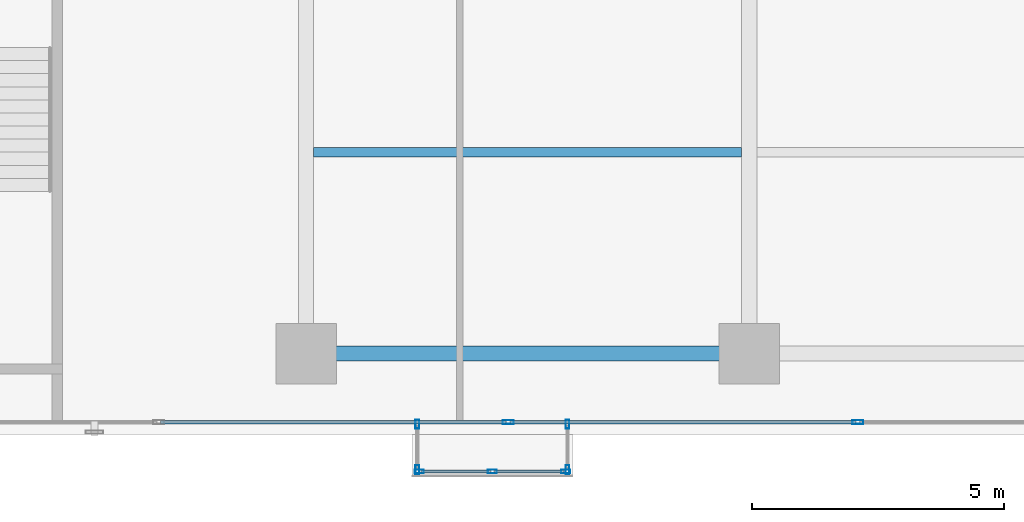
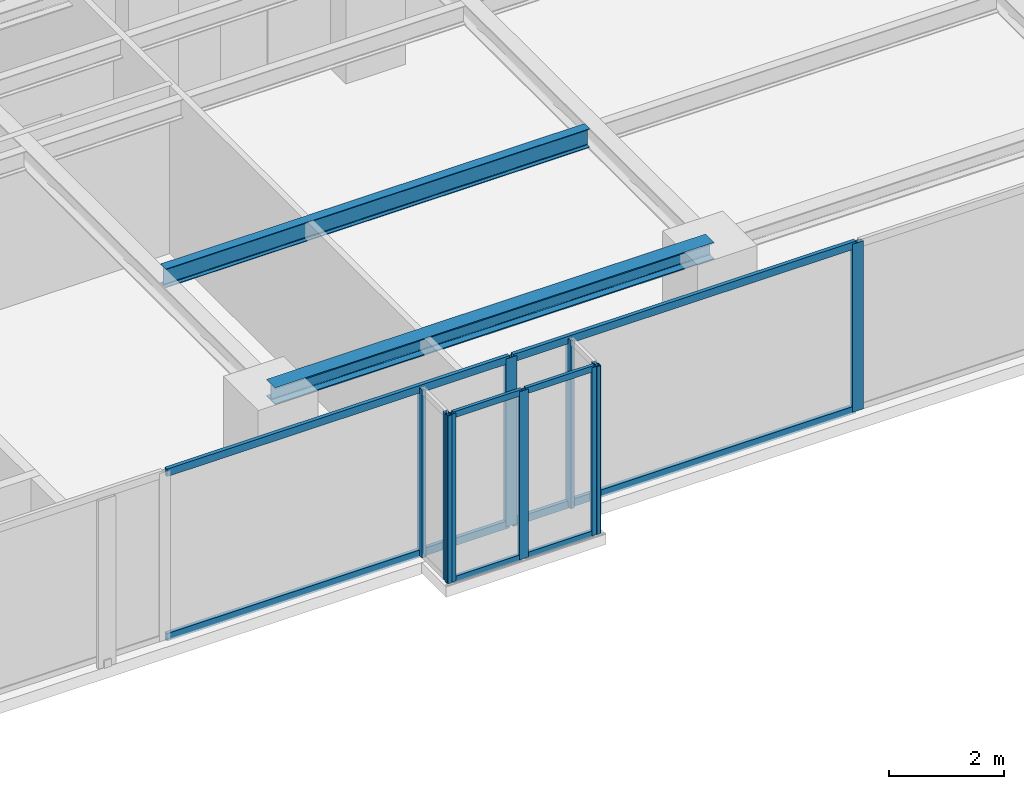
# One storey, part 10 of 26: 17 members, 2 beams, 4 elements without a shape of their own.
"""IFC4 building model written with IfcOpenShell, lengths in metres."""

from ifc_helpers import new_model, si_unit, direction, frame, origin, origin_with_axes, origin_2d, place, context, subcontext, project, spatial, hollow_rectangle, i_section, extrude, source, transform, mapped, material, layer, layer_set, material_profile, profile_set, type_object, element, aggregate, save


model = new_model("IFC4")

# Units and contexts
model_context = context("Model", 3, precision=1e-05, world=origin(), true_north=direction((0.0, 1.0)))
body_context = subcontext(model_context, "Body", "Model", "MODEL_VIEW")
ifc_project = project(units=[si_unit("LENGTHUNIT", "METRE"), si_unit("AREAUNIT", "SQUARE_METRE"), si_unit("VOLUMEUNIT", "CUBIC_METRE"), si_unit("PLANEANGLEUNIT", "RADIAN"), si_unit("MASSUNIT", "GRAM", prefix="KILO")], contexts=[model_context])

# Site, building, storey
site_placement = place(None, origin())
site = spatial("IfcSite", under=ifc_project, at=site_placement, CompositionType="ELEMENT")
building_placement = place(site_placement, origin())
building = spatial("IfcBuilding", under=site, at=building_placement, Name="Kolvaren Waterfront Exchange", CompositionType="ELEMENT")
storey_placement = place(building_placement, frame((0.0, 0.0, 150.0)))
storey = spatial("IfcBuildingStorey", under=building, at=storey_placement, Name="L38", CompositionType="ELEMENT", Elevation=150.0)

# Beams
ifc_material_1 = material(Name="Steel S355", Category="steel")
ifc_material_profile_1 = material_profile(ifc_material_1, i_section(OverallWidth=0.300048828125, OverallDepth=0.360107421875, WebThickness=0.012451171875, FlangeThickness=0.0224609375, FilletRadius=0.027099609375, at=origin_2d()), Name="HEB360")
ifc_profile_set_1 = profile_set([ifc_material_profile_1], Name="Steel S355")
beam_type_1 = type_object("IfcBeamType", Name="STR-BM-HEB360", PredefinedType="SPANDREL", material=ifc_profile_set_1)
beam_1_placement = place(storey_placement, frame((36.800048828125, 5.199951171875, 3.3798828125), z_axis=(1.0, 0.0, 0.0), x_axis=(0.0, 1.0, 0.0)))
element("IfcBeam", 1, at=beam_1_placement, inside=storey, type_object=beam_type_1, Name="L38 east-arm spandrel S3", PredefinedType="SPANDREL", context=body_context, shape_type="SweptSolid", body=[
    extrude(i_section(OverallWidth=0.300048828125, OverallDepth=0.360107421875, WebThickness=0.012451171875, FlangeThickness=0.0224609375, FilletRadius=0.027099609375, at=origin_2d()), origin(), (0.0, 0.0, 1.0), 8.800048828125),
])
ifc_material_profile_2 = material_profile(ifc_material_1, i_section(OverallWidth=0.179931640625, OverallDepth=0.39990234375, WebThickness=0.008544921875, FlangeThickness=0.013427734375, FilletRadius=0.02099609375, at=origin_2d()), Name="IPE400")
ifc_profile_set_2 = profile_set([ifc_material_profile_2], Name="Steel S355")
beam_type_2 = type_object("IfcBeamType", Name="STR-BM-IPE400", PredefinedType="JOIST", material=ifc_profile_set_2)
beam_2_placement = place(storey_placement, frame((36.951904296875, 9.199951171875, 3.360107421875), z_axis=(1.0, 0.0, 0.0), x_axis=(0.0, 1.0, 0.0)))
element("IfcBeam", 2, at=beam_2_placement, inside=storey, type_object=beam_type_2, Name="L38 east-arm composite joist 3B", PredefinedType="JOIST", context=body_context, shape_type="SweptSolid", body=[
    extrude(i_section(OverallWidth=0.179931640625, OverallDepth=0.39990234375, WebThickness=0.008544921875, FlangeThickness=0.013427734375, FilletRadius=0.02099609375, at=origin_2d()), origin(), (0.0, 0.0, 1.0), 8.49609375),
])

# Curtain wall, members
ifc_material_2 = material(Name="Anodised bronze aluminium 6063-T6", Category="aluminium")
ifc_layer_1 = layer(ifc_material_2, 0.219970703125, Name="Anodised bronze aluminium 6063-T6")
ifc_layer_set_1 = layer_set([ifc_layer_1], Name="Anodised bronze aluminium 6063-T6")
curtain_wall_type_1 = type_object("IfcCurtainWallType", Name="ARC-CW-SYS3", PredefinedType="USERDEFINED", material=ifc_layer_set_1)
curtain_wall_1_placement = place(storey_placement, origin())
curtain_wall_1 = element("IfcCurtainWall", 3, at=curtain_wall_1_placement, inside=storey, type_object=curtain_wall_type_1, Name="L38 stick curtain wall CW3 (CW-L38-BOX)", ObjectType="STICK CURTAIN WALL", PredefinedType="USERDEFINED")
ifc_material_profile_3 = material_profile(ifc_material_2, hollow_rectangle(XDim=0.06494140625, YDim=0.1298828125, WallThickness=0.00390625, at=origin_2d()), Name="ALU-TRN-130x65x4")
ifc_profile_set_3 = profile_set([ifc_material_profile_3], Name="Anodised bronze aluminium 6063-T6")
member_type_1 = type_object("IfcMemberType", Name="ARC-CWT-130", PredefinedType="USERDEFINED", material=ifc_profile_set_3)
shared_shape_1 = source(origin_with_axes(), body_context, "Body", "SweptSolid", [
    extrude(hollow_rectangle(XDim=0.06494140625, YDim=0.1298828125, WallThickness=0.00390625, at=origin_2d()), origin(), (0.0, 0.0, 1.0), 1.37744140625),
])
member_1_placement = place(storey_placement, frame((39.0849609375, 2.860107421875, 0.032470703125), z_axis=(1.0, 0.0, 0.0), x_axis=(0.0, 1.0, 0.0)))
member_1 = element("IfcMember", 4, at=member_1_placement, type_object=member_type_1, Name="CW3 transom 1.1", ObjectType="TRANSOM", PredefinedType="USERDEFINED", context=body_context, shape_type="MappedRepresentation", body=[
    mapped(shared_shape_1, transform((0.0, 0.0, 0.0), x_axis=(1.0, 0.0, 0.0), y_axis=(0.0, 1.0, 0.0), z_axis=(0.0, 0.0, 1.0), scale=1.0)),
])
member_2_placement = place(storey_placement, frame((39.0849609375, 2.860107421875, 3.527587890625), z_axis=(1.0, 0.0, 0.0), x_axis=(0.0, 1.0, 0.0)))
member_2 = element("IfcMember", 5, at=member_2_placement, type_object=member_type_1, Name="CW3 transom 1.2", ObjectType="TRANSOM", PredefinedType="USERDEFINED", context=body_context, shape_type="MappedRepresentation", body=[
    mapped(shared_shape_1, transform((0.0, 0.0, 0.0), x_axis=(1.0, 0.0, 0.0), y_axis=(0.0, 1.0, 0.0), z_axis=(0.0, 0.0, 1.0), scale=1.0)),
])
member_3_placement = place(storey_placement, frame((40.53759765625, 2.860107421875, 0.032470703125), z_axis=(1.0, 0.0, 0.0), x_axis=(0.0, 1.0, 0.0)))
member_3 = element("IfcMember", 6, at=member_3_placement, type_object=member_type_1, Name="CW3 transom 2.1", ObjectType="TRANSOM", PredefinedType="USERDEFINED", context=body_context, shape_type="MappedRepresentation", body=[
    mapped(shared_shape_1, transform((0.0, 0.0, 0.0), x_axis=(1.0, 0.0, 0.0), y_axis=(0.0, 1.0, 0.0), z_axis=(0.0, 0.0, 1.0), scale=1.0)),
])
member_4_placement = place(storey_placement, frame((40.53759765625, 2.860107421875, 3.527587890625), z_axis=(1.0, 0.0, 0.0), x_axis=(0.0, 1.0, 0.0)))
member_4 = element("IfcMember", 7, at=member_4_placement, type_object=member_type_1, Name="CW3 transom 2.2", ObjectType="TRANSOM", PredefinedType="USERDEFINED", context=body_context, shape_type="MappedRepresentation", body=[
    mapped(shared_shape_1, transform((0.0, 0.0, 0.0), x_axis=(1.0, 0.0, 0.0), y_axis=(0.0, 1.0, 0.0), z_axis=(0.0, 0.0, 1.0), scale=1.0)),
])

curtain_wall_2_placement = place(storey_placement, origin())
curtain_wall_2 = element("IfcCurtainWall", 8, at=curtain_wall_2_placement, inside=storey, type_object=curtain_wall_type_1, Name="L38 stick curtain wall CW3 (CW-L38-BOX-W)", ObjectType="STICK CURTAIN WALL", PredefinedType="USERDEFINED")
ifc_material_profile_4 = material_profile(ifc_material_2, hollow_rectangle(XDim=0.074951171875, YDim=0.179931640625, WallThickness=0.00439453125, at=origin_2d()), Name="ALU-MUL-180x75x4.5")
ifc_profile_set_4 = profile_set([ifc_material_profile_4], Name="Anodised bronze aluminium 6063-T6")
member_type_2 = type_object("IfcMemberType", Name="ARC-CWM-180", PredefinedType="MULLION", material=ifc_profile_set_4)
shared_shape_2 = source(origin_with_axes(), body_context, "Body", "SweptSolid", [
    extrude(hollow_rectangle(XDim=0.074951171875, YDim=0.179931640625, WallThickness=0.00439453125, at=origin_2d()), origin(), (0.0, 0.0, 1.0), 3.56005859375),
])
member_5_placement = place(storey_placement, frame((39.010009765625, 3.802490234375, 0.0), z_axis=(0.0, 0.0, 1.0), x_axis=(1.0, 0.0, 0.0)))
member_5 = element("IfcMember", 9, at=member_5_placement, type_object=member_type_2, Name="CW3 mullion 1", PredefinedType="MULLION", context=body_context, shape_type="MappedRepresentation", body=[
    mapped(shared_shape_2, transform((0.0, 0.0, 0.0), x_axis=(1.0, 0.0, 0.0), y_axis=(0.0, 1.0, 0.0), z_axis=(0.0, 0.0, 1.0), scale=1.0)),
])
member_6_placement = place(storey_placement, frame((39.010009765625, 2.8974609375, 0.0), z_axis=(0.0, 0.0, 1.0), x_axis=(1.0, 0.0, 0.0)))
member_6 = element("IfcMember", 10, at=member_6_placement, type_object=member_type_2, Name="CW3 mullion 2", PredefinedType="MULLION", context=body_context, shape_type="MappedRepresentation", body=[
    mapped(shared_shape_2, transform((0.0, 0.0, 0.0), x_axis=(1.0, 0.0, 0.0), y_axis=(0.0, 1.0, 0.0), z_axis=(0.0, 0.0, 1.0), scale=1.0)),
])
aggregate(curtain_wall_2, [member_5, member_6])

# Member
member_7_placement = place(storey_placement, frame((39.047607421875, 2.860107421875, 0.0), z_axis=(0.0, 0.0, 1.0), x_axis=(0.0, 1.0, 0.0)))
member_7 = element("IfcMember", 11, at=member_7_placement, type_object=member_type_2, Name="CW3 mullion 1", PredefinedType="MULLION", context=body_context, shape_type="MappedRepresentation", body=[
    mapped(shared_shape_2, transform((0.0, 0.0, 0.0), x_axis=(1.0, 0.0, 0.0), y_axis=(0.0, 1.0, 0.0), z_axis=(0.0, 0.0, 1.0), scale=1.0)),
])

member_8_placement = place(storey_placement, frame((40.5, 2.860107421875, 0.0), z_axis=(0.0, 0.0, 1.0), x_axis=(0.0, 1.0, 0.0)))
member_8 = element("IfcMember", 12, at=member_8_placement, type_object=member_type_2, Name="CW3 mullion 2", PredefinedType="MULLION", context=body_context, shape_type="MappedRepresentation", body=[
    mapped(shared_shape_2, transform((0.0, 0.0, 0.0), x_axis=(1.0, 0.0, 0.0), y_axis=(0.0, 1.0, 0.0), z_axis=(0.0, 0.0, 1.0), scale=1.0)),
])

member_9_placement = place(storey_placement, frame((41.952392578125, 2.860107421875, 0.0), z_axis=(0.0, 0.0, 1.0), x_axis=(0.0, 1.0, 0.0)))
member_9 = element("IfcMember", 13, at=member_9_placement, type_object=member_type_2, Name="CW3 mullion 3", PredefinedType="MULLION", context=body_context, shape_type="MappedRepresentation", body=[
    mapped(shared_shape_2, transform((0.0, 0.0, 0.0), x_axis=(1.0, 0.0, 0.0), y_axis=(0.0, 1.0, 0.0), z_axis=(0.0, 0.0, 1.0), scale=1.0)),
])

aggregate(curtain_wall_1, [member_7, member_8, member_9, member_1, member_2, member_3, member_4])

# Curtain wall, members
curtain_wall_3_placement = place(storey_placement, origin())
curtain_wall_3 = element("IfcCurtainWall", 14, at=curtain_wall_3_placement, inside=storey, type_object=curtain_wall_type_1, Name="L38 stick curtain wall CW3 (CW-L38-BOX-E)", ObjectType="STICK CURTAIN WALL", PredefinedType="USERDEFINED")
member_10_placement = place(storey_placement, frame((41.989990234375, 2.8974609375, 0.0), z_axis=(0.0, 0.0, 1.0), x_axis=(-1.0, 0.0, 0.0)))
member_10 = element("IfcMember", 15, at=member_10_placement, type_object=member_type_2, Name="CW3 mullion 1", PredefinedType="MULLION", context=body_context, shape_type="MappedRepresentation", body=[
    mapped(shared_shape_2, transform((0.0, 0.0, 0.0), x_axis=(1.0, 0.0, 0.0), y_axis=(0.0, 1.0, 0.0), z_axis=(0.0, 0.0, 1.0), scale=1.0)),
])
member_11_placement = place(storey_placement, frame((41.989990234375, 3.802490234375, 0.0), z_axis=(0.0, 0.0, 1.0), x_axis=(-1.0, 0.0, 0.0)))
member_11 = element("IfcMember", 16, at=member_11_placement, type_object=member_type_2, Name="CW3 mullion 2", PredefinedType="MULLION", context=body_context, shape_type="MappedRepresentation", body=[
    mapped(shared_shape_2, transform((0.0, 0.0, 0.0), x_axis=(1.0, 0.0, 0.0), y_axis=(0.0, 1.0, 0.0), z_axis=(0.0, 0.0, 1.0), scale=1.0)),
])
aggregate(curtain_wall_3, [member_10, member_11])

ifc_layer_2 = layer(ifc_material_2, 0.219970703125, Name="Anodised bronze aluminium 6063-T6")
ifc_layer_set_2 = layer_set([ifc_layer_2], Name="Anodised bronze aluminium 6063-T6")
curtain_wall_type_2 = type_object("IfcCurtainWallType", Name="ARC-CW-SYS1", PredefinedType="USERDEFINED", material=ifc_layer_set_2)
curtain_wall_4_placement = place(storey_placement, origin())
curtain_wall_4 = element("IfcCurtainWall", 17, at=curtain_wall_4_placement, inside=storey, type_object=curtain_wall_type_2, Name="L38 stick curtain wall CW1 (CW-L38-S)", ObjectType="STICK CURTAIN WALL", PredefinedType="USERDEFINED")
ifc_material_3 = material(Name="Anodised aluminium 6063-T6", Category="aluminium")
ifc_material_profile_5 = material_profile(ifc_material_3, hollow_rectangle(XDim=0.080078125, YDim=0.219970703125, WallThickness=0.0048828125, at=origin_2d()), Name="ALU-MUL-220x80x5")
ifc_profile_set_5 = profile_set([ifc_material_profile_5], Name="Anodised aluminium 6063-T6")
member_type_3 = type_object("IfcMemberType", Name="ARC-CWM-220", PredefinedType="MULLION", material=ifc_profile_set_5)
shared_shape_3 = source(origin_with_axes(), body_context, "Body", "SweptSolid", [
    extrude(hollow_rectangle(XDim=0.080078125, YDim=0.219970703125, WallThickness=0.0048828125, at=origin_2d()), origin(), (0.0, 0.0, 1.0), 3.56005859375),
])
member_12_placement = place(storey_placement, frame((40.814208984375, 3.840087890625, 0.0), z_axis=(0.0, 0.0, 1.0), x_axis=(0.0, 1.0, 0.0)))
member_12 = element("IfcMember", 18, at=member_12_placement, type_object=member_type_3, Name="CW1 mullion 6", PredefinedType="MULLION", context=body_context, shape_type="MappedRepresentation", body=[
    mapped(shared_shape_3, transform((0.0, 0.0, 0.0), x_axis=(1.0, 0.0, 0.0), y_axis=(0.0, 1.0, 0.0), z_axis=(0.0, 0.0, 1.0), scale=1.0)),
])
member_13_placement = place(storey_placement, frame((47.757080078125, 3.840087890625, 0.0), z_axis=(0.0, 0.0, 1.0), x_axis=(0.0, 1.0, 0.0)))
member_13 = element("IfcMember", 19, at=member_13_placement, type_object=member_type_3, Name="CW1 mullion 7", PredefinedType="MULLION", context=body_context, shape_type="MappedRepresentation", body=[
    mapped(shared_shape_3, transform((0.0, 0.0, 0.0), x_axis=(1.0, 0.0, 0.0), y_axis=(0.0, 1.0, 0.0), z_axis=(0.0, 0.0, 1.0), scale=1.0)),
])
ifc_material_profile_6 = material_profile(ifc_material_3, hollow_rectangle(XDim=0.074951171875, YDim=0.159912109375, WallThickness=0.00439453125, at=origin_2d()), Name="ALU-TRN-160x75x4.5")
ifc_profile_set_6 = profile_set([ifc_material_profile_6], Name="Anodised aluminium 6063-T6")
member_type_4 = type_object("IfcMemberType", Name="ARC-CWT-160", PredefinedType="USERDEFINED", material=ifc_profile_set_6)
shared_shape_4 = source(origin_with_axes(), body_context, "Body", "SweptSolid", [
    extrude(hollow_rectangle(XDim=0.074951171875, YDim=0.159912109375, WallThickness=0.00439453125, at=origin_2d()), origin(), (0.0, 0.0, 1.0), 6.86279296875),
])
member_14_placement = place(storey_placement, frame((33.911376953125, 3.840087890625, 0.03759765625), z_axis=(1.0, 0.0, 0.0), x_axis=(0.0, 1.0, 0.0)))
member_14 = element("IfcMember", 20, at=member_14_placement, type_object=member_type_4, Name="CW1 transom 5.1", ObjectType="TRANSOM", PredefinedType="USERDEFINED", context=body_context, shape_type="MappedRepresentation", body=[
    mapped(shared_shape_4, transform((0.0, 0.0, 0.0), x_axis=(1.0, 0.0, 0.0), y_axis=(0.0, 1.0, 0.0), z_axis=(0.0, 0.0, 1.0), scale=1.0)),
])
member_15_placement = place(storey_placement, frame((33.911376953125, 3.840087890625, 3.5224609375), z_axis=(1.0, 0.0, 0.0), x_axis=(0.0, 1.0, 0.0)))
member_15 = element("IfcMember", 21, at=member_15_placement, type_object=member_type_4, Name="CW1 transom 5.2", ObjectType="TRANSOM", PredefinedType="USERDEFINED", context=body_context, shape_type="MappedRepresentation", body=[
    mapped(shared_shape_4, transform((0.0, 0.0, 0.0), x_axis=(1.0, 0.0, 0.0), y_axis=(0.0, 1.0, 0.0), z_axis=(0.0, 0.0, 1.0), scale=1.0)),
])
member_16_placement = place(storey_placement, frame((40.854248046875, 3.840087890625, 0.03759765625), z_axis=(1.0, 0.0, 0.0), x_axis=(0.0, 1.0, 0.0)))
member_16 = element("IfcMember", 22, at=member_16_placement, type_object=member_type_4, Name="CW1 transom 6.1", ObjectType="TRANSOM", PredefinedType="USERDEFINED", context=body_context, shape_type="MappedRepresentation", body=[
    mapped(shared_shape_4, transform((0.0, 0.0, 0.0), x_axis=(1.0, 0.0, 0.0), y_axis=(0.0, 1.0, 0.0), z_axis=(0.0, 0.0, 1.0), scale=1.0)),
])
member_17_placement = place(storey_placement, frame((40.854248046875, 3.840087890625, 3.5224609375), z_axis=(1.0, 0.0, 0.0), x_axis=(0.0, 1.0, 0.0)))
member_17 = element("IfcMember", 23, at=member_17_placement, type_object=member_type_4, Name="CW1 transom 6.2", ObjectType="TRANSOM", PredefinedType="USERDEFINED", context=body_context, shape_type="MappedRepresentation", body=[
    mapped(shared_shape_4, transform((0.0, 0.0, 0.0), x_axis=(1.0, 0.0, 0.0), y_axis=(0.0, 1.0, 0.0), z_axis=(0.0, 0.0, 1.0), scale=1.0)),
])
aggregate(curtain_wall_4, [member_12, member_13, member_14, member_15, member_16, member_17])

save(model, "model.ifc")
